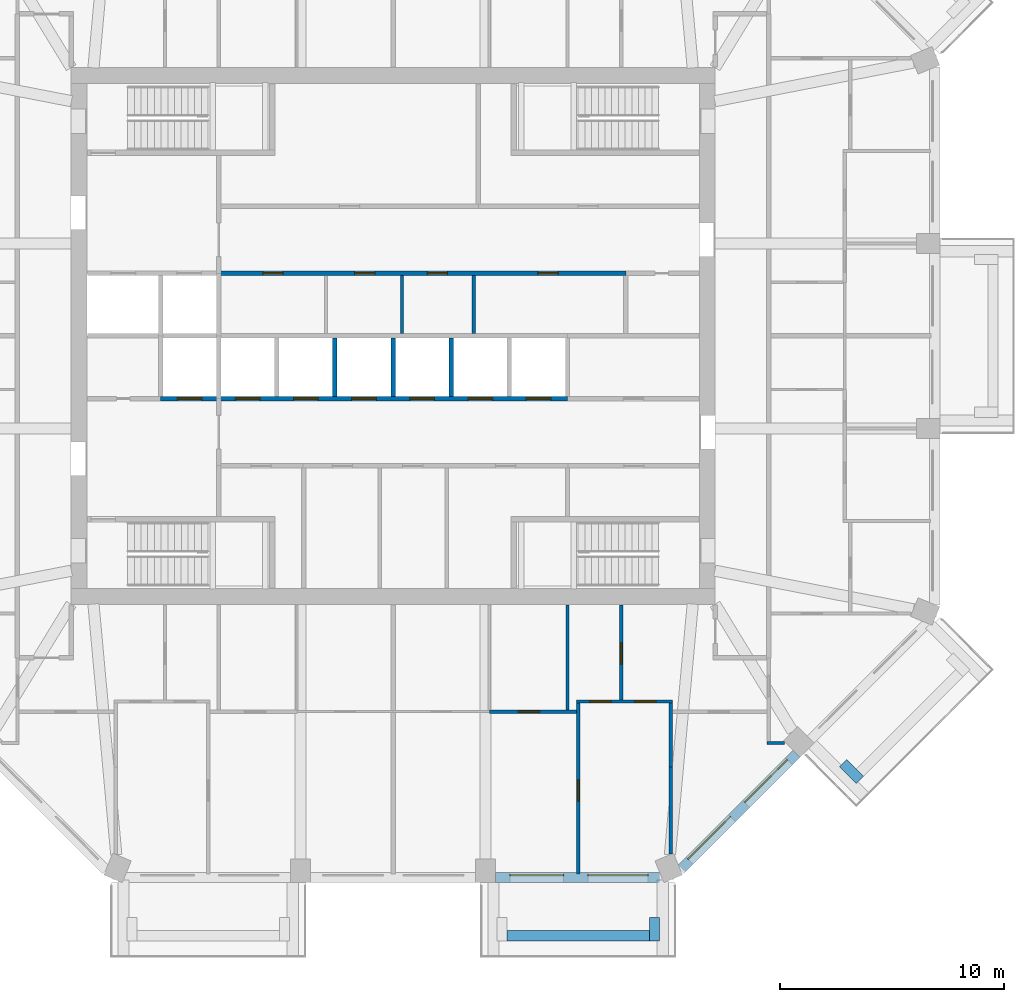
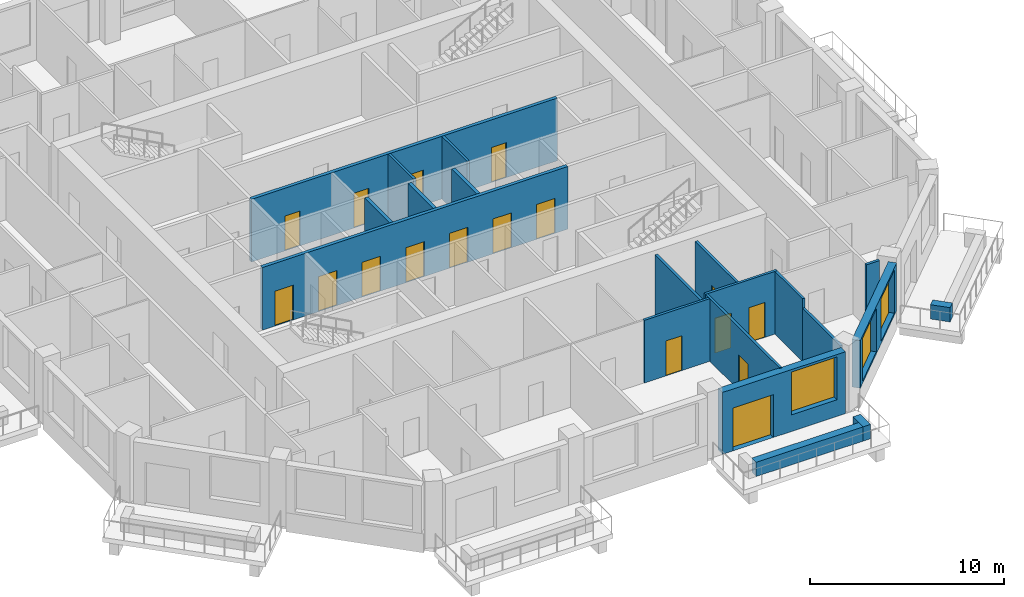
# One storey, part 5 of 12: 20 walls, 17 doors, 3 windows, 20 openings.
"""IFC4 building model written with IfcOpenShell, lengths in metres."""

from ifc_helpers import new_model, si_unit, direction, frame, frame_2d, origin, place, context, subcontext, project, spatial, rectangle, extrude, material, layer, layer_set, type_object, element, fill, save


model = new_model("IFC4")

# Units and contexts
model_context = context("Model", 3, precision=1e-05, world=origin(), true_north=direction((0.0, 1.0)))
body_context = subcontext(model_context, "Body", "Model", "MODEL_VIEW")
ifc_project = project(units=[si_unit("LENGTHUNIT", "METRE"), si_unit("AREAUNIT", "SQUARE_METRE"), si_unit("VOLUMEUNIT", "CUBIC_METRE"), si_unit("PLANEANGLEUNIT", "RADIAN"), si_unit("MASSUNIT", "GRAM", prefix="KILO")], contexts=[model_context])

# Site, building, storey
site_placement = place(None, origin())
site = spatial("IfcSite", under=ifc_project, at=site_placement, CompositionType="ELEMENT")
building_placement = place(site_placement, origin())
building = spatial("IfcBuilding", under=site, at=building_placement, Name="Msitu Wima Residences", CompositionType="ELEMENT")
storey_placement = place(building_placement, frame((0.0, 0.0, 183.300048828125)))
storey = spatial("IfcBuildingStorey", under=building, at=storey_placement, Name="L42", CompositionType="ELEMENT", Elevation=183.300048828125)

# Walls
ifc_material_1 = material(Name="Facing brick")
ifc_layer_1 = layer(ifc_material_1, 0.06494140625, Name="Facing brick")
ifc_material_2 = material(Name="Concrete C40/50", Category="concrete")
ifc_layer_2 = layer(ifc_material_2, 0.156005859375, Name="Concrete C40/50")
ifc_material_3 = material(Name="Waterproofing membrane")
ifc_layer_3 = layer(ifc_material_3, 0.00390625, Name="Waterproofing membrane")
ifc_material_4 = material(Name="Planting soil and planting")
ifc_layer_4 = layer(ifc_material_4, 0.22509765625, Name="Planting soil and planting")
ifc_layer_set_1 = layer_set([ifc_layer_1, ifc_layer_2, ifc_layer_3, ifc_layer_4], Name="Concrete C40/50")
wall_type_1 = type_object("IfcWallType", Name="Balcony planter PLANTER PL450", PredefinedType="USERDEFINED", material=ifc_layer_set_1)
wall_1_placement = place(storey_placement, frame((5.087158203125, -26.824951171875, 0.0), z_axis=(0.0, 0.0, 1.0), x_axis=(1.0, 0.0, 0.0)))
element("IfcWall", 1, at=wall_1_placement, inside=storey, type_object=wall_type_1, Name="Balcony planter S2 L42", ObjectType="PLANTER", PredefinedType="USERDEFINED", context=body_context, shape_type="SweptSolid", body=[
    extrude(rectangle(XDim=6.37451171875, YDim=0.449951171875, at=frame_2d((3.187255859375, 0.0))), origin(), (0.0, 0.0, 1.0), 0.89990234375),
])
for number, where, z_axis, x_axis, name in (
    (2, (11.686767578125, -26.0, 0.0), (0.0, 0.0, 1.0), (0.0, -1.0, 0.0), "Balcony planter S2 L42"),
    (3, (20.1328125, -19.107421875, 0.0), (0.0, 0.0, 1.0), (0.707106781187, -0.707106781187, 0.0), "Balcony planter SE1 L42"),
):
    element("IfcWall", number, at=place(storey_placement, frame(where, z_axis=z_axis, x_axis=x_axis)), inside=storey, type_object=wall_type_1, Name=name, ObjectType="PLANTER", PredefinedType="USERDEFINED", context=body_context, shape_type="SweptSolid", body=[
        extrude(rectangle(XDim=1.050048828125, YDim=0.449951171875, at=frame_2d((0.52490234375, 0.0))), origin(), (0.0, 0.0, 1.0), 0.89990234375),
    ])

# Wall, openings, door, window
ifc_material_5 = material(Name="Brick (red buff mix)", Category="masonry")
ifc_layer_5 = layer(ifc_material_5, 0.449951171875)
ifc_layer_set_2 = layer_set([ifc_layer_5], Name="Brick (red buff mix)")
wall_type_2 = type_object("IfcWallType", Name="Brick infill wall BW450", PredefinedType="SOLIDWALL", material=ifc_layer_set_2)
wall_2_placement = place(storey_placement, frame((4.587158203125, -24.22509765625, 0.0), z_axis=(0.0, 0.0, 1.0), x_axis=(1.0, 0.0, 0.0)))
wall_2 = element("IfcWall", 4, at=wall_2_placement, inside=storey, type_object=wall_type_2, Name="Brick infill wall L42 S2", PredefinedType="SOLIDWALL", context=body_context, shape_type="SweptSolid", body=[
    extrude(rectangle(XDim=7.337646484375, YDim=0.449951171875, at=frame_2d((3.6689453125, 0.0))), origin(), (0.0, 0.0, 1.0), 3.89990234375),
])
opening_1_placement = place(wall_2_placement, frame((0.63427734375, 0.0, 0.0)))
opening_1 = element("IfcOpeningElement", 5, at=opening_1_placement, cuts=wall_2, Name="Opening D40-42.007", PredefinedType="OPENING", context=body_context, shape_type="SweptSolid", body=[
    extrude(rectangle(XDim=2.39990234375, YDim=2.699951171875, at=frame_2d((1.199951171875, 1.35009765625))), frame((0.0, 0.23486328125, 0.0), z_axis=(0.0, -1.0, 0.0), x_axis=(1.0, 0.0, 0.0)), (0.0, 0.0, 1.0), 0.469970703125),
])
opening_2_placement = place(wall_2_placement, frame((4.11865234375, 0.0, 1.050048828125)))
opening_2 = element("IfcOpeningElement", 6, at=opening_2_placement, cuts=wall_2, Name="Opening W40-42.019", PredefinedType="OPENING", context=body_context, shape_type="SweptSolid", body=[
    extrude(rectangle(XDim=2.699951171875, YDim=2.699951171875, at=frame_2d((1.35009765625, 1.35009765625))), frame((0.0, 0.23486328125, 0.0), z_axis=(0.0, -1.0, 0.0), x_axis=(1.0, 0.0, 0.0)), (0.0, 0.0, 1.0), 0.469970703125),
])
ifc_material_6 = material(Name="Anodised aluminium, bronze finish, clear low-emissivity double glazing", Category="aluminium")
door_type_1 = type_object("IfcDoorType", Name="Balcony door D2400x2700", OperationType="SLIDING_TO_LEFT", PredefinedType="DOOR", material=ifc_material_6)
door_1_placement = place(opening_1_placement, origin())
door_1 = element("IfcDoor", 7, at=door_1_placement, inside=storey, type_object=door_type_1, Name="Balcony door L42 S2", OperationType="SINGLE_SWING_LEFT", OverallHeight=2.699951171875, OverallWidth=2.39990234375, PredefinedType="DOOR", context=body_context, shape_type="SweptSolid", body=[
    extrude(rectangle(XDim=2.39990234375, YDim=2.699951171875, at=frame_2d((1.199951171875, 1.35009765625))), frame((0.0, 0.1298828125, 0.0), z_axis=(0.0, -1.0, 0.0), x_axis=(1.0, 0.0, 0.0)), (0.0, 0.0, 1.0), 0.050048828125),
])
fill(opening_1, door_1)
window_type = type_object("IfcWindowType", Name="Window W2700x2700", PartitioningType="DOUBLE_PANEL_VERTICAL", PredefinedType="WINDOW", material=ifc_material_6)
window_1_placement = place(opening_2_placement, origin())
window_1 = element("IfcWindow", 8, at=window_1_placement, inside=storey, type_object=window_type, Name="Window L42 S2.2", OverallHeight=2.699951171875, OverallWidth=2.699951171875, PartitioningType="SINGLE_PANEL", PredefinedType="WINDOW", context=body_context, shape_type="SweptSolid", body=[
    extrude(rectangle(XDim=2.699951171875, YDim=2.699951171875, at=frame_2d((1.35009765625, 1.35009765625))), frame((0.0, 0.135009765625, 0.0), z_axis=(0.0, -1.0, 0.0), x_axis=(1.0, 0.0, 0.0)), (0.0, 0.0, 1.0), 0.06005859375),
])
fill(opening_2, window_1)

# Wall, openings, windows
wall_3_placement = place(storey_placement, frame((12.915283203125, -23.814697265625, 0.89990234375), z_axis=(0.0, 0.0, 1.0), x_axis=(0.707106781187, 0.707106781187, 0.0)))
wall_3 = element("IfcWall", 9, at=wall_3_placement, inside=storey, type_object=wall_type_2, Name="Brick infill wall L42 SE0", PredefinedType="SOLIDWALL", context=body_context, shape_type="SweptSolid", body=[
    extrude(rectangle(XDim=7.257080078125, YDim=0.449951171875, at=frame_2d((3.62841796875, 0.0))), origin(), (0.0, 0.0, 1.0), 3.0),
])
opening_3_placement = place(wall_3_placement, frame((0.478515625, 0.0, 0.14990234375)))
opening_3 = element("IfcOpeningElement", 10, at=opening_3_placement, cuts=wall_3, Name="Opening W40-42.020", PredefinedType="OPENING", context=body_context, shape_type="SweptSolid", body=[
    extrude(rectangle(XDim=2.699951171875, YDim=2.699951171875, at=frame_2d((1.35009765625, 1.35009765625))), frame((0.0, 0.23486328125, 0.0), z_axis=(0.0, -1.0, 0.0), x_axis=(1.0, 0.0, 0.0)), (0.0, 0.0, 1.0), 0.469970703125),
])
opening_4_placement = place(wall_3_placement, frame((4.07861328125, 0.0, 0.14990234375)))
opening_4 = element("IfcOpeningElement", 11, at=opening_4_placement, cuts=wall_3, Name="Opening W40-42.021", PredefinedType="OPENING", context=body_context, shape_type="SweptSolid", body=[
    extrude(rectangle(XDim=2.699951171875, YDim=2.699951171875, at=frame_2d((1.35009765625, 1.35009765625))), frame((0.0, 0.23486328125, 0.0), z_axis=(0.0, -1.0, 0.0), x_axis=(1.0, 0.0, 0.0)), (0.0, 0.0, 1.0), 0.469970703125),
])
window_2_placement = place(opening_3_placement, origin())
window_2 = element("IfcWindow", 12, at=window_2_placement, inside=storey, type_object=window_type, Name="Window L42 SE0.1", OverallHeight=2.699951171875, OverallWidth=2.699951171875, PartitioningType="SINGLE_PANEL", PredefinedType="WINDOW", context=body_context, shape_type="SweptSolid", body=[
    extrude(rectangle(XDim=2.699951171875, YDim=2.699951171875, at=frame_2d((1.35009765625, 1.35009765625))), frame((0.0, 0.135009765625, 0.0), z_axis=(0.0, -1.0, 0.0), x_axis=(1.0, 0.0, 0.0)), (0.0, 0.0, 1.0), 0.06005859375),
])
fill(opening_3, window_2)
window_3_placement = place(opening_4_placement, origin())
window_3 = element("IfcWindow", 13, at=window_3_placement, inside=storey, type_object=window_type, Name="Window L42 SE0.2", OverallHeight=2.699951171875, OverallWidth=2.699951171875, PartitioningType="SINGLE_PANEL", PredefinedType="WINDOW", context=body_context, shape_type="SweptSolid", body=[
    extrude(rectangle(XDim=2.699951171875, YDim=2.699951171875, at=frame_2d((1.35009765625, 1.35009765625))), frame((0.0, 0.135009765625, 0.0), z_axis=(0.0, -1.0, 0.0), x_axis=(1.0, 0.0, 0.0)), (0.0, 0.0, 1.0), 0.06005859375),
])
fill(opening_4, window_3)

# Wall, openings, doors
ifc_material_7 = material(Name="Plaster")
ifc_layer_6 = layer(ifc_material_7, 0.011962890625, Name="Plaster")
ifc_material_8 = material(Name="Concrete blockwork", Category="masonry")
ifc_layer_7 = layer(ifc_material_8, 0.176025390625, Name="Concrete blockwork")
ifc_layer_8 = layer(ifc_material_7, 0.011962890625, Name="Plaster")
ifc_layer_set_3 = layer_set([ifc_layer_6, ifc_layer_7, ifc_layer_8], Name="Concrete blockwork")
wall_type_3 = type_object("IfcWallType", Name="Corridor wall FW200", PredefinedType="PARTITIONING", material=ifc_layer_set_3)
wall_4_placement = place(storey_placement, frame((-7.820068359375, 2.800048828125, 0.0), z_axis=(0.0, 0.0, 1.0), x_axis=(1.0, 0.0, 0.0)))
wall_4 = element("IfcWall", 14, at=wall_4_placement, inside=storey, type_object=wall_type_3, Name="Corridor wall", PredefinedType="PARTITIONING", context=body_context, shape_type="SweptSolid", body=[
    extrude(rectangle(XDim=18.239990234375, YDim=0.199951171875, at=frame_2d((9.1201171875, 0.0))), origin(), (0.0, 0.0, 1.0), 3.949951171875),
])
opening_5_placement = place(wall_4_placement, frame((2.0, 0.0, 0.0)))
opening_5 = element("IfcOpeningElement", 15, at=opening_5_placement, cuts=wall_4, Name="Opening D40-42.081", PredefinedType="OPENING", context=body_context, shape_type="SweptSolid", body=[
    extrude(rectangle(XDim=0.89990234375, YDim=2.199951171875, at=frame_2d((0.449951171875, 1.10009765625))), frame((0.0, 0.10986328125, 0.0), z_axis=(0.0, -1.0, 0.0), x_axis=(1.0, 0.0, 0.0)), (0.0, 0.0, 1.0), 0.219970703125),
])
opening_6_placement = place(wall_4_placement, frame((6.10009765625, 0.0, 0.0)))
opening_6 = element("IfcOpeningElement", 16, at=opening_6_placement, cuts=wall_4, Name="Opening D40-42.082", PredefinedType="OPENING", context=body_context, shape_type="SweptSolid", body=[
    extrude(rectangle(XDim=0.89990234375, YDim=2.199951171875, at=frame_2d((0.449951171875, 1.10009765625))), frame((0.0, 0.10986328125, 0.0), z_axis=(0.0, -1.0, 0.0), x_axis=(1.0, 0.0, 0.0)), (0.0, 0.0, 1.0), 0.219970703125),
])
opening_7_placement = place(wall_4_placement, frame((9.35009765625, 0.0, 0.0)))
opening_7 = element("IfcOpeningElement", 17, at=opening_7_placement, cuts=wall_4, Name="Opening D40-42.083", PredefinedType="OPENING", context=body_context, shape_type="SweptSolid", body=[
    extrude(rectangle(XDim=0.89990234375, YDim=2.199951171875, at=frame_2d((0.449951171875, 1.10009765625))), frame((0.0, 0.10986328125, 0.0), z_axis=(0.0, -1.0, 0.0), x_axis=(1.0, 0.0, 0.0)), (0.0, 0.0, 1.0), 0.219970703125),
])
opening_8_placement = place(wall_4_placement, frame((14.300048828125, 0.0, 0.0)))
opening_8 = element("IfcOpeningElement", 18, at=opening_8_placement, cuts=wall_4, Name="Opening D40-42.084", PredefinedType="OPENING", context=body_context, shape_type="SweptSolid", body=[
    extrude(rectangle(XDim=0.89990234375, YDim=2.199951171875, at=frame_2d((0.449951171875, 1.10009765625))), frame((0.0, 0.10986328125, 0.0), z_axis=(0.0, -1.0, 0.0), x_axis=(1.0, 0.0, 0.0)), (0.0, 0.0, 1.0), 0.219970703125),
])
ifc_material_9 = material(Name="Timber flush door", Category="wood")
door_type_2 = type_object("IfcDoorType", Name="Service door D05 900x2200", OperationType="SINGLE_SWING_LEFT", PredefinedType="DOOR", material=ifc_material_9)
door_2_placement = place(opening_5_placement, origin())
door_2 = element("IfcDoor", 19, at=door_2_placement, inside=storey, type_object=door_type_2, Name="Service door", OperationType="SINGLE_SWING_LEFT", OverallHeight=2.199951171875, OverallWidth=0.89990234375, PredefinedType="DOOR", context=body_context, shape_type="SweptSolid", body=[
    extrude(rectangle(XDim=0.89990234375, YDim=2.199951171875, at=frame_2d((0.449951171875, 1.10009765625))), frame((0.0, 0.02490234375, 0.0), z_axis=(0.0, -1.0, 0.0), x_axis=(1.0, 0.0, 0.0)), (0.0, 0.0, 1.0), 0.050048828125),
])
fill(opening_5, door_2)
door_3_placement = place(opening_6_placement, origin())
door_3 = element("IfcDoor", 20, at=door_3_placement, inside=storey, type_object=door_type_2, Name="Service door", OperationType="SINGLE_SWING_LEFT", OverallHeight=2.199951171875, OverallWidth=0.89990234375, PredefinedType="DOOR", context=body_context, shape_type="SweptSolid", body=[
    extrude(rectangle(XDim=0.89990234375, YDim=2.199951171875, at=frame_2d((0.449951171875, 1.10009765625))), frame((0.0, 0.02490234375, 0.0), z_axis=(0.0, -1.0, 0.0), x_axis=(1.0, 0.0, 0.0)), (0.0, 0.0, 1.0), 0.050048828125),
])
fill(opening_6, door_3)
door_4_placement = place(opening_7_placement, origin())
door_4 = element("IfcDoor", 21, at=door_4_placement, inside=storey, type_object=door_type_2, Name="Service door", OperationType="SINGLE_SWING_RIGHT", OverallHeight=2.199951171875, OverallWidth=0.89990234375, PredefinedType="DOOR", context=body_context, shape_type="SweptSolid", body=[
    extrude(rectangle(XDim=0.89990234375, YDim=2.199951171875, at=frame_2d((0.449951171875, 1.10009765625))), frame((0.0, 0.02490234375, 0.0), z_axis=(0.0, -1.0, 0.0), x_axis=(1.0, 0.0, 0.0)), (0.0, 0.0, 1.0), 0.050048828125),
])
fill(opening_7, door_4)
door_5_placement = place(opening_8_placement, origin())
door_5 = element("IfcDoor", 22, at=door_5_placement, inside=storey, type_object=door_type_2, Name="Service door", OperationType="SINGLE_SWING_RIGHT", OverallHeight=2.199951171875, OverallWidth=0.89990234375, PredefinedType="DOOR", context=body_context, shape_type="SweptSolid", body=[
    extrude(rectangle(XDim=0.89990234375, YDim=2.199951171875, at=frame_2d((0.449951171875, 1.10009765625))), frame((0.0, 0.02490234375, 0.0), z_axis=(0.0, -1.0, 0.0), x_axis=(1.0, 0.0, 0.0)), (0.0, 0.0, 1.0), 0.050048828125),
])
fill(opening_8, door_5)

# Walls
ifc_layer_9 = layer(ifc_material_7, 0.011962890625, Name="Plaster")
ifc_layer_10 = layer(ifc_material_8, 0.1259765625, Name="Concrete blockwork")
ifc_layer_11 = layer(ifc_material_7, 0.011962890625, Name="Plaster")
ifc_layer_set_4 = layer_set([ifc_layer_9, ifc_layer_10, ifc_layer_11], Name="Concrete blockwork")
wall_type_4 = type_object("IfcWallType", Name="Partition PW150", PredefinedType="PARTITIONING", material=ifc_layer_set_4)
for number, where, z_axis, x_axis, name in (
    (23, (0.39990234375, 0.10009765625, 0.0), (0.0, 0.0, 1.0), (0.0, 1.0, 0.0), "Partition"),
    (24, (3.60009765625, 0.10009765625, 0.0), (0.0, 0.0, 1.0), (0.0, 1.0, 0.0), "Partition"),
):
    element("IfcWall", number, at=place(storey_placement, frame(where, z_axis=z_axis, x_axis=x_axis)), inside=storey, type_object=wall_type_4, Name=name, PredefinedType="PARTITIONING", context=body_context, shape_type="SweptSolid", body=[
        extrude(rectangle(XDim=2.599853515625, YDim=0.14990234375, at=frame_2d((1.2998046875, 0.0))), origin(), (0.0, 0.0, 1.0), 3.949951171875),
    ])

# Wall, opening, door
wall_5_placement = place(storey_placement, frame((4.300048828125, -16.800048828125, 0.0), z_axis=(0.0, 0.0, 1.0), x_axis=(1.0, 0.0, 0.0)))
wall_5 = element("IfcWall", 25, at=wall_5_placement, inside=storey, type_object=wall_type_4, Name="Partition", PredefinedType="PARTITIONING", context=body_context, shape_type="SweptSolid", body=[
    extrude(rectangle(XDim=3.8994140625, YDim=0.14990234375, at=frame_2d((1.94970703125, 0.0))), origin(), (0.0, 0.0, 1.0), 3.949951171875),
])
opening_9_placement = place(wall_5_placement, frame((1.300048828125, 0.0, 0.0)))
opening_9 = element("IfcOpeningElement", 26, at=opening_9_placement, cuts=wall_5, Name="Opening D40-42.056", PredefinedType="OPENING", context=body_context, shape_type="SweptSolid", body=[
    extrude(rectangle(XDim=0.949951171875, YDim=2.199951171875, at=frame_2d((0.47509765625, 1.10009765625))), frame((0.0, 0.0849609375, 0.0), z_axis=(0.0, -1.0, 0.0), x_axis=(1.0, 0.0, 0.0)), (0.0, 0.0, 1.0), 0.169921875),
])
door_type_3 = type_object("IfcDoorType", Name="Room door D12 950x2200", OperationType="SINGLE_SWING_LEFT", PredefinedType="DOOR", material=ifc_material_9)
door_6_placement = place(opening_9_placement, origin())
door_6 = element("IfcDoor", 27, at=door_6_placement, inside=storey, type_object=door_type_3, Name="Room door", OperationType="SINGLE_SWING_LEFT", OverallHeight=2.199951171875, OverallWidth=0.949951171875, PredefinedType="DOOR", context=body_context, shape_type="SweptSolid", body=[
    extrude(rectangle(XDim=0.949951171875, YDim=2.199951171875, at=frame_2d((0.47509765625, 1.10009765625))), frame((0.0, 0.02490234375, 0.0), z_axis=(0.0, -1.0, 0.0), x_axis=(1.0, 0.0, 0.0)), (0.0, 0.0, 1.0), 0.050048828125),
])
fill(opening_9, door_6)

# Wall
wall_6_placement = place(storey_placement, frame((7.800048828125, -16.72509765625, 0.0), z_axis=(0.0, 0.0, 1.0), x_axis=(0.0, 1.0, 0.0)))
element("IfcWall", 28, at=wall_6_placement, inside=storey, type_object=wall_type_4, Name="Partition", PredefinedType="PARTITIONING", context=body_context, shape_type="SweptSolid", body=[
    extrude(rectangle(XDim=4.695068359375, YDim=0.14990234375, at=frame_2d((2.34765625, 0.0))), origin(), (0.0, 0.0, 1.0), 3.949951171875),
])

# Wall, opening, door
wall_7_placement = place(storey_placement, frame((8.2744140625, -24.054931640625, 0.0), z_axis=(0.0, 0.0, 1.0), x_axis=(0.0, 1.0, 0.0)))
wall_7 = element("IfcWall", 29, at=wall_7_placement, inside=storey, type_object=wall_type_4, Name="Partition", PredefinedType="PARTITIONING", context=body_context, shape_type="SweptSolid", body=[
    extrude(rectangle(XDim=7.6298828125, YDim=0.14990234375, at=frame_2d((3.81494140625, 0.0))), origin(), (0.0, 0.0, 1.0), 3.949951171875),
])
opening_10_placement = place(wall_7_placement, frame((3.25, 0.0, 0.0)))
opening_10 = element("IfcOpeningElement", 30, at=opening_10_placement, cuts=wall_7, Name="Opening D40-42.062", PredefinedType="OPENING", context=body_context, shape_type="SweptSolid", body=[
    extrude(rectangle(XDim=0.949951171875, YDim=2.199951171875, at=frame_2d((0.47509765625, 1.10009765625))), frame((0.0, 0.0849609375, 0.0), z_axis=(0.0, -1.0, 0.0), x_axis=(1.0, 0.0, 0.0)), (0.0, 0.0, 1.0), 0.169921875),
])
door_7_placement = place(opening_10_placement, origin())
door_7 = element("IfcDoor", 31, at=door_7_placement, inside=storey, type_object=door_type_3, Name="Room door", OperationType="SINGLE_SWING_RIGHT", OverallHeight=2.199951171875, OverallWidth=0.949951171875, PredefinedType="DOOR", context=body_context, shape_type="SweptSolid", body=[
    extrude(rectangle(XDim=0.949951171875, YDim=2.199951171875, at=frame_2d((0.47509765625, 1.10009765625))), frame((0.0, 0.02490234375, 0.0), z_axis=(0.0, -1.0, 0.0), x_axis=(1.0, 0.0, 0.0)), (0.0, 0.0, 1.0), 0.050048828125),
])
fill(opening_10, door_7)

# Wall, openings, doors
wall_8_placement = place(storey_placement, frame((8.199462890625, -16.35009765625, 0.0), z_axis=(0.0, 0.0, 1.0), x_axis=(1.0, 0.0, 0.0)))
wall_8 = element("IfcWall", 32, at=wall_8_placement, inside=storey, type_object=wall_type_4, Name="Partition", PredefinedType="PARTITIONING", context=body_context, shape_type="SweptSolid", body=[
    extrude(rectangle(XDim=4.287353515625, YDim=0.14990234375, at=frame_2d((2.1435546875, 0.0))), origin(), (0.0, 0.0, 1.0), 3.949951171875),
])
opening_11_placement = place(wall_8_placement, frame((2.60009765625, 0.0, 0.0)))
opening_11 = element("IfcOpeningElement", 33, at=opening_11_placement, cuts=wall_8, Name="Opening D40-42.059", PredefinedType="OPENING", context=body_context, shape_type="SweptSolid", body=[
    extrude(rectangle(XDim=0.949951171875, YDim=2.199951171875, at=frame_2d((0.47509765625, 1.10009765625))), frame((0.0, 0.0849609375, 0.0), z_axis=(0.0, -1.0, 0.0), x_axis=(1.0, 0.0, 0.0)), (0.0, 0.0, 1.0), 0.169921875),
])
opening_12_placement = place(wall_8_placement, frame((0.60009765625, 0.0, 0.0)))
opening_12 = element("IfcOpeningElement", 34, at=opening_12_placement, cuts=wall_8, Name="Opening D40-42.058", PredefinedType="OPENING", context=body_context, shape_type="SweptSolid", body=[
    extrude(rectangle(XDim=0.949951171875, YDim=2.199951171875, at=frame_2d((0.47509765625, 1.10009765625))), frame((0.0, 0.0849609375, 0.0), z_axis=(0.0, -1.0, 0.0), x_axis=(1.0, 0.0, 0.0)), (0.0, 0.0, 1.0), 0.169921875),
])
door_8_placement = place(opening_11_placement, origin())
door_8 = element("IfcDoor", 35, at=door_8_placement, inside=storey, type_object=door_type_3, Name="Room door", OperationType="SINGLE_SWING_LEFT", OverallHeight=2.199951171875, OverallWidth=0.949951171875, PredefinedType="DOOR", context=body_context, shape_type="SweptSolid", body=[
    extrude(rectangle(XDim=0.949951171875, YDim=2.199951171875, at=frame_2d((0.47509765625, 1.10009765625))), frame((0.0, 0.02490234375, 0.0), z_axis=(0.0, -1.0, 0.0), x_axis=(1.0, 0.0, 0.0)), (0.0, 0.0, 1.0), 0.050048828125),
])
fill(opening_11, door_8)
door_9_placement = place(opening_12_placement, origin())
door_9 = element("IfcDoor", 36, at=door_9_placement, inside=storey, type_object=door_type_3, Name="Room door", OperationType="SINGLE_SWING_RIGHT", OverallHeight=2.199951171875, OverallWidth=0.949951171875, PredefinedType="DOOR", context=body_context, shape_type="SweptSolid", body=[
    extrude(rectangle(XDim=0.949951171875, YDim=2.199951171875, at=frame_2d((0.47509765625, 1.10009765625))), frame((0.0, 0.02490234375, 0.0), z_axis=(0.0, -1.0, 0.0), x_axis=(1.0, 0.0, 0.0)), (0.0, 0.0, 1.0), 0.050048828125),
])
fill(opening_12, door_9)

# Wall, opening, door
wall_9_placement = place(storey_placement, frame((10.199951171875, -16.27490234375, 0.0), z_axis=(0.0, 0.0, 1.0), x_axis=(0.0, 1.0, 0.0)))
wall_9 = element("IfcWall", 37, at=wall_9_placement, inside=storey, type_object=wall_type_4, Name="Partition", PredefinedType="PARTITIONING", context=body_context, shape_type="SweptSolid", body=[
    extrude(rectangle(XDim=4.244873046875, YDim=0.14990234375, at=frame_2d((2.12255859375, 0.0))), origin(), (0.0, 0.0, 1.0), 3.949951171875),
])
opening_13_placement = place(wall_9_placement, frame((1.60009765625, 0.0, 0.0)))
opening_13 = element("IfcOpeningElement", 38, at=opening_13_placement, cuts=wall_9, Name="Opening D40-42.054", PredefinedType="OPENING", context=body_context, shape_type="SweptSolid", body=[
    extrude(rectangle(XDim=0.949951171875, YDim=2.199951171875, at=frame_2d((0.47509765625, 1.10009765625))), frame((0.0, 0.0849609375, 0.0), z_axis=(0.0, -1.0, 0.0), x_axis=(1.0, 0.0, 0.0)), (0.0, 0.0, 1.0), 0.169921875),
])
door_10_placement = place(opening_13_placement, origin())
door_10 = element("IfcDoor", 39, at=door_10_placement, inside=storey, type_object=door_type_3, Name="Room door", OperationType="SINGLE_SWING_LEFT", OverallHeight=2.199951171875, OverallWidth=0.949951171875, PredefinedType="DOOR", context=body_context, shape_type="SweptSolid", body=[
    extrude(rectangle(XDim=0.949951171875, YDim=2.199951171875, at=frame_2d((0.47509765625, 1.10009765625))), frame((0.0, 0.02490234375, 0.0), z_axis=(0.0, -1.0, 0.0), x_axis=(1.0, 0.0, 0.0)), (0.0, 0.0, 1.0), 0.050048828125),
])
fill(opening_13, door_10)

# Walls
wall_10_placement = place(storey_placement, frame((12.411865234375, -23.1689453125, 0.0), z_axis=(0.0, 0.0, 1.0), x_axis=(0.0, 1.0, 0.0)))
element("IfcWall", 40, at=wall_10_placement, inside=storey, type_object=wall_type_4, Name="Partition", PredefinedType="PARTITIONING", context=body_context, shape_type="SweptSolid", body=[
    extrude(rectangle(XDim=3.8984375, YDim=0.14990234375, at=frame_2d((1.94921875, 0.0))), origin(), (0.0, 0.0, 1.0), 3.349853515625),
])
wall_11_placement = place(storey_placement, frame((12.411865234375, -19.2705078125, 0.0), z_axis=(0.0, 0.0, 1.0), x_axis=(0.0, 1.0, 0.0)))
element("IfcWall", 41, at=wall_11_placement, inside=storey, type_object=wall_type_4, Name="Partition", PredefinedType="PARTITIONING", context=body_context, shape_type="SweptSolid", body=[
    extrude(rectangle(XDim=2.845458984375, YDim=0.14990234375, at=frame_2d((1.4228515625, 0.0))), origin(), (0.0, 0.0, 1.0), 3.949951171875),
])
wall_12_placement = place(storey_placement, frame((16.72509765625, -18.205810546875, 0.0), z_axis=(0.0, 0.0, 1.0), x_axis=(1.0, 0.0, 0.0)))
element("IfcWall", 42, at=wall_12_placement, inside=storey, type_object=wall_type_4, Name="Partition", PredefinedType="PARTITIONING", context=body_context, shape_type="SweptSolid", body=[
    extrude(rectangle(XDim=0.784423828125, YDim=0.14990234375, at=frame_2d((0.39208984375, 0.0))), origin(), (0.0, 0.0, 1.0), 3.949951171875),
])

# Wall, openings, doors
ifc_material_10 = material(Name="Fire-rated board")
ifc_layer_12 = layer(ifc_material_10, 0.02490234375, Name="Fire-rated board")
ifc_material_11 = material(Name="Light-gauge stud framing with mineral wool")
ifc_layer_13 = layer(ifc_material_11, 0.14990234375, Name="Light-gauge stud framing with mineral wool")
ifc_layer_14 = layer(ifc_material_10, 0.02490234375, Name="Fire-rated board")
ifc_layer_set_5 = layer_set([ifc_layer_12, ifc_layer_13, ifc_layer_14], Name="Light-gauge stud framing with mineral wool")
wall_type_5 = type_object("IfcWallType", Name="Shaft wall SH200", PredefinedType="PARTITIONING", material=ifc_layer_set_5)
wall_13_placement = place(storey_placement, frame((-10.39990234375, -2.800048828125, 0.0), z_axis=(0.0, 0.0, 1.0), x_axis=(1.0, 0.0, 0.0)))
wall_13 = element("IfcWall", 43, at=wall_13_placement, inside=storey, type_object=wall_type_5, Name="Shaft wall", PredefinedType="PARTITIONING", context=body_context, shape_type="SweptSolid", body=[
    extrude(rectangle(XDim=18.199951171875, YDim=0.199951171875, at=frame_2d((9.10009765625, 0.0))), origin(), (0.0, 0.0, 1.0), 3.949951171875),
])
opening_14_placement = place(wall_13_placement, frame((0.75, 0.0, 0.0)))
opening_14 = element("IfcOpeningElement", 44, at=opening_14_placement, cuts=wall_13, Name="Opening LD", PredefinedType="OPENING", context=body_context, shape_type="SweptSolid", body=[
    extrude(rectangle(XDim=1.10009765625, YDim=2.199951171875, at=frame_2d((0.550048828125, 1.10009765625))), frame((0.0, 0.10986328125, 0.0), z_axis=(0.0, -1.0, 0.0), x_axis=(1.0, 0.0, 0.0)), (0.0, 0.0, 1.0), 0.219970703125),
])
opening_15_placement = place(wall_13_placement, frame((3.35009765625, 0.0, 0.0)))
opening_15 = element("IfcOpeningElement", 45, at=opening_15_placement, cuts=wall_13, Name="Opening LD", PredefinedType="OPENING", context=body_context, shape_type="SweptSolid", body=[
    extrude(rectangle(XDim=1.10009765625, YDim=2.199951171875, at=frame_2d((0.550048828125, 1.10009765625))), frame((0.0, 0.10986328125, 0.0), z_axis=(0.0, -1.0, 0.0), x_axis=(1.0, 0.0, 0.0)), (0.0, 0.0, 1.0), 0.219970703125),
])
opening_16_placement = place(wall_13_placement, frame((5.949951171875, 0.0, 0.0)))
opening_16 = element("IfcOpeningElement", 46, at=opening_16_placement, cuts=wall_13, Name="Opening LD", PredefinedType="OPENING", context=body_context, shape_type="SweptSolid", body=[
    extrude(rectangle(XDim=1.10009765625, YDim=2.199951171875, at=frame_2d((0.550048828125, 1.10009765625))), frame((0.0, 0.10986328125, 0.0), z_axis=(0.0, -1.0, 0.0), x_axis=(1.0, 0.0, 0.0)), (0.0, 0.0, 1.0), 0.219970703125),
])
opening_17_placement = place(wall_13_placement, frame((8.550048828125, 0.0, 0.0)))
opening_17 = element("IfcOpeningElement", 47, at=opening_17_placement, cuts=wall_13, Name="Opening LD", PredefinedType="OPENING", context=body_context, shape_type="SweptSolid", body=[
    extrude(rectangle(XDim=1.10009765625, YDim=2.199951171875, at=frame_2d((0.550048828125, 1.10009765625))), frame((0.0, 0.10986328125, 0.0), z_axis=(0.0, -1.0, 0.0), x_axis=(1.0, 0.0, 0.0)), (0.0, 0.0, 1.0), 0.219970703125),
])
opening_18_placement = place(wall_13_placement, frame((11.14990234375, 0.0, 0.0)))
opening_18 = element("IfcOpeningElement", 48, at=opening_18_placement, cuts=wall_13, Name="Opening LD", PredefinedType="OPENING", context=body_context, shape_type="SweptSolid", body=[
    extrude(rectangle(XDim=1.10009765625, YDim=2.199951171875, at=frame_2d((0.550048828125, 1.10009765625))), frame((0.0, 0.10986328125, 0.0), z_axis=(0.0, -1.0, 0.0), x_axis=(1.0, 0.0, 0.0)), (0.0, 0.0, 1.0), 0.219970703125),
])
opening_19_placement = place(wall_13_placement, frame((13.75, 0.0, 0.0)))
opening_19 = element("IfcOpeningElement", 49, at=opening_19_placement, cuts=wall_13, Name="Opening LD", PredefinedType="OPENING", context=body_context, shape_type="SweptSolid", body=[
    extrude(rectangle(XDim=1.10009765625, YDim=2.199951171875, at=frame_2d((0.550048828125, 1.10009765625))), frame((0.0, 0.10986328125, 0.0), z_axis=(0.0, -1.0, 0.0), x_axis=(1.0, 0.0, 0.0)), (0.0, 0.0, 1.0), 0.219970703125),
])
opening_20_placement = place(wall_13_placement, frame((16.35009765625, 0.0, 0.0)))
opening_20 = element("IfcOpeningElement", 50, at=opening_20_placement, cuts=wall_13, Name="Opening LD", PredefinedType="OPENING", context=body_context, shape_type="SweptSolid", body=[
    extrude(rectangle(XDim=1.10009765625, YDim=2.199951171875, at=frame_2d((0.550048828125, 1.10009765625))), frame((0.0, 0.10986328125, 0.0), z_axis=(0.0, -1.0, 0.0), x_axis=(1.0, 0.0, 0.0)), (0.0, 0.0, 1.0), 0.219970703125),
])
ifc_material_12 = material(Name="Stainless steel centre-opening landing door, rated", Category="steel")
door_type_4 = type_object("IfcDoorType", Name="Lift landing door LD 1100x2200", OperationType="DOUBLE_DOOR_SLIDING", PredefinedType="DOOR", material=ifc_material_12)
door_11_placement = place(opening_14_placement, origin())
door_11 = element("IfcDoor", 51, at=door_11_placement, inside=storey, type_object=door_type_4, Name="Lift landing door LD3", OperationType="DOUBLE_DOOR_SLIDING", OverallHeight=2.199951171875, OverallWidth=1.10009765625, PredefinedType="DOOR", context=body_context, shape_type="SweptSolid", body=[
    extrude(rectangle(XDim=1.10009765625, YDim=2.199951171875, at=frame_2d((0.550048828125, 1.10009765625))), frame((0.0, 0.02490234375, 0.0), z_axis=(0.0, -1.0, 0.0), x_axis=(1.0, 0.0, 0.0)), (0.0, 0.0, 1.0), 0.050048828125),
])
fill(opening_14, door_11)
door_12_placement = place(opening_15_placement, origin())
door_12 = element("IfcDoor", 52, at=door_12_placement, inside=storey, type_object=door_type_4, Name="Lift landing door LD5", OperationType="DOUBLE_DOOR_SLIDING", OverallHeight=2.199951171875, OverallWidth=1.10009765625, PredefinedType="DOOR", context=body_context, shape_type="SweptSolid", body=[
    extrude(rectangle(XDim=1.10009765625, YDim=2.199951171875, at=frame_2d((0.550048828125, 1.10009765625))), frame((0.0, 0.02490234375, 0.0), z_axis=(0.0, -1.0, 0.0), x_axis=(1.0, 0.0, 0.0)), (0.0, 0.0, 1.0), 0.050048828125),
])
fill(opening_15, door_12)
door_13_placement = place(opening_16_placement, origin())
door_13 = element("IfcDoor", 53, at=door_13_placement, inside=storey, type_object=door_type_4, Name="Lift landing door LD7", OperationType="DOUBLE_DOOR_SLIDING", OverallHeight=2.199951171875, OverallWidth=1.10009765625, PredefinedType="DOOR", context=body_context, shape_type="SweptSolid", body=[
    extrude(rectangle(XDim=1.10009765625, YDim=2.199951171875, at=frame_2d((0.550048828125, 1.10009765625))), frame((0.0, 0.02490234375, 0.0), z_axis=(0.0, -1.0, 0.0), x_axis=(1.0, 0.0, 0.0)), (0.0, 0.0, 1.0), 0.050048828125),
])
fill(opening_16, door_13)
door_14_placement = place(opening_17_placement, origin())
door_14 = element("IfcDoor", 54, at=door_14_placement, inside=storey, type_object=door_type_4, Name="Lift landing door LD9", OperationType="DOUBLE_DOOR_SLIDING", OverallHeight=2.199951171875, OverallWidth=1.10009765625, PredefinedType="DOOR", context=body_context, shape_type="SweptSolid", body=[
    extrude(rectangle(XDim=1.10009765625, YDim=2.199951171875, at=frame_2d((0.550048828125, 1.10009765625))), frame((0.0, 0.02490234375, 0.0), z_axis=(0.0, -1.0, 0.0), x_axis=(1.0, 0.0, 0.0)), (0.0, 0.0, 1.0), 0.050048828125),
])
fill(opening_17, door_14)
door_15_placement = place(opening_18_placement, origin())
door_15 = element("IfcDoor", 55, at=door_15_placement, inside=storey, type_object=door_type_4, Name="Lift landing door LD11", OperationType="DOUBLE_DOOR_SLIDING", OverallHeight=2.199951171875, OverallWidth=1.10009765625, PredefinedType="DOOR", context=body_context, shape_type="SweptSolid", body=[
    extrude(rectangle(XDim=1.10009765625, YDim=2.199951171875, at=frame_2d((0.550048828125, 1.10009765625))), frame((0.0, 0.02490234375, 0.0), z_axis=(0.0, -1.0, 0.0), x_axis=(1.0, 0.0, 0.0)), (0.0, 0.0, 1.0), 0.050048828125),
])
fill(opening_18, door_15)
door_16_placement = place(opening_19_placement, origin())
door_16 = element("IfcDoor", 56, at=door_16_placement, inside=storey, type_object=door_type_4, Name="Lift landing door LD13", OperationType="DOUBLE_DOOR_SLIDING", OverallHeight=2.199951171875, OverallWidth=1.10009765625, PredefinedType="DOOR", context=body_context, shape_type="SweptSolid", body=[
    extrude(rectangle(XDim=1.10009765625, YDim=2.199951171875, at=frame_2d((0.550048828125, 1.10009765625))), frame((0.0, 0.02490234375, 0.0), z_axis=(0.0, -1.0, 0.0), x_axis=(1.0, 0.0, 0.0)), (0.0, 0.0, 1.0), 0.050048828125),
])
fill(opening_19, door_16)
door_17_placement = place(opening_20_placement, origin())
door_17 = element("IfcDoor", 57, at=door_17_placement, inside=storey, type_object=door_type_4, Name="Lift landing door LD15", OperationType="DOUBLE_DOOR_SLIDING", OverallHeight=2.199951171875, OverallWidth=1.10009765625, PredefinedType="DOOR", context=body_context, shape_type="SweptSolid", body=[
    extrude(rectangle(XDim=1.10009765625, YDim=2.199951171875, at=frame_2d((0.550048828125, 1.10009765625))), frame((0.0, 0.02490234375, 0.0), z_axis=(0.0, -1.0, 0.0), x_axis=(1.0, 0.0, 0.0)), (0.0, 0.0, 1.0), 0.050048828125),
])
fill(opening_20, door_17)

# Walls
for number, where, z_axis, x_axis, name in (
    (58, (-2.60009765625, -2.699951171875, 0.0), (0.0, 0.0, 1.0), (0.0, 1.0, 0.0), "Shaft wall"),
    (59, (0.0, -2.699951171875, 0.0), (0.0, 0.0, 1.0), (0.0, 1.0, 0.0), "Shaft wall"),
    (60, (2.60009765625, -2.699951171875, 0.0), (0.0, 0.0, 1.0), (0.0, 1.0, 0.0), "Shaft wall"),
):
    element("IfcWall", number, at=place(storey_placement, frame(where, z_axis=z_axis, x_axis=x_axis)), inside=storey, type_object=wall_type_5, Name=name, PredefinedType="PARTITIONING", context=body_context, shape_type="SweptSolid", body=[
        extrude(rectangle(XDim=2.599853515625, YDim=0.199951171875, at=frame_2d((1.2998046875, 0.0))), origin(), (0.0, 0.0, 1.0), 3.949951171875),
    ])

save(model, "model.ifc")
